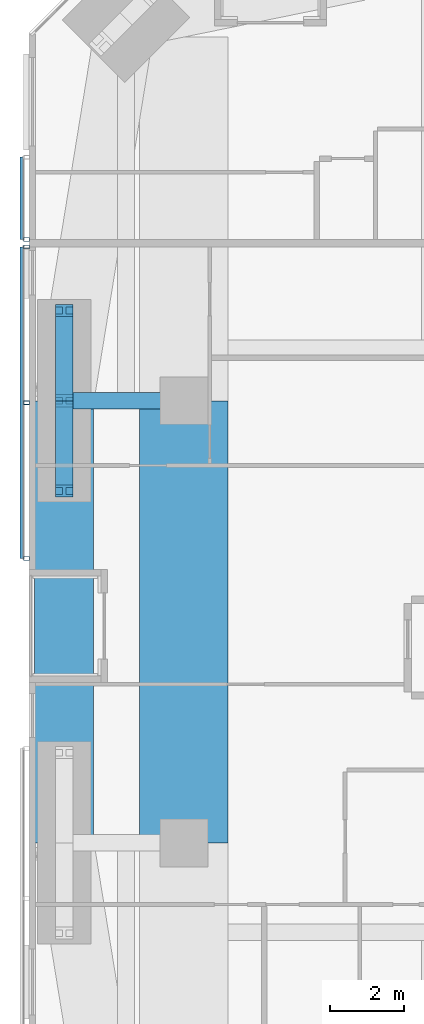
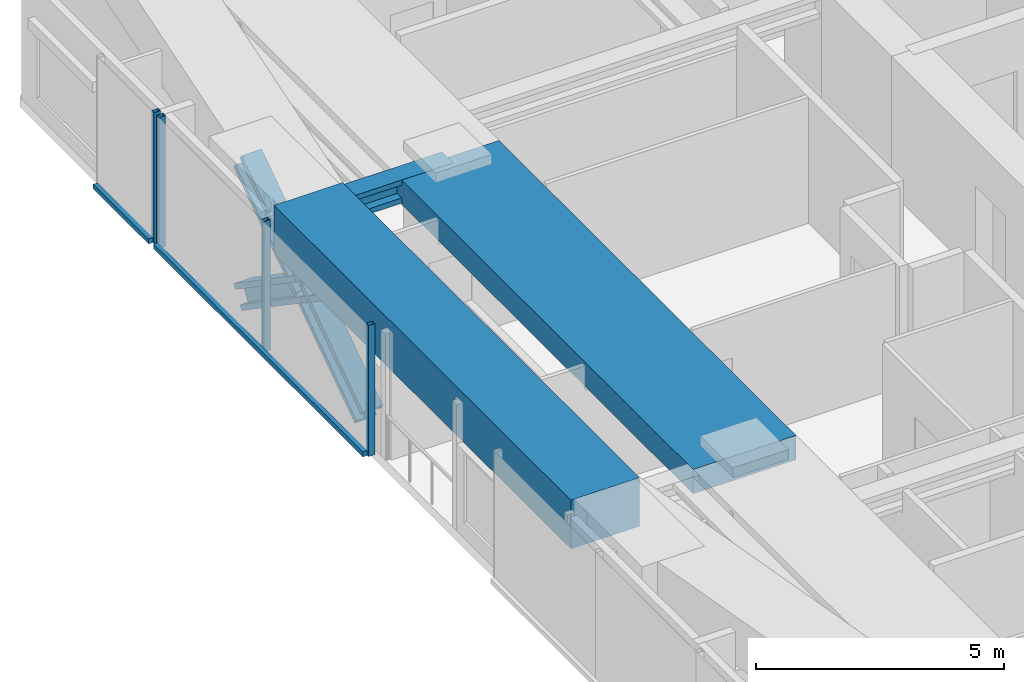
# One storey, part 6 of 23: 10 members, 3 beams, 2 elements without a shape of their own.
"""IFC4 building model written with IfcOpenShell, lengths in metres."""

from ifc_helpers import new_model, si_unit, direction, frame, origin, origin_2d, place, context, subcontext, project, spatial, rectangle, hollow_rectangle, i_section, extrude, material, material_profile, profile_set, type_object, element, aggregate, save


model = new_model("IFC4")

# Units and contexts
model_context = context("Model", 3, precision=1e-05, world=origin(), true_north=direction((0.0, 1.0)))
body_context = subcontext(model_context, "Body", "Model", "MODEL_VIEW")
ifc_project = project(units=[si_unit("LENGTHUNIT", "METRE"), si_unit("AREAUNIT", "SQUARE_METRE"), si_unit("VOLUMEUNIT", "CUBIC_METRE"), si_unit("PLANEANGLEUNIT", "RADIAN"), si_unit("MASSUNIT", "GRAM", prefix="KILO")], contexts=[model_context])

# Site, building, storey
site_placement = place(None, origin())
site = spatial("IfcSite", under=ifc_project, at=site_placement, CompositionType="ELEMENT")
building_placement = place(site_placement, origin())
building = spatial("IfcBuilding", under=site, at=building_placement, Name="Jalousie Tower", CompositionType="ELEMENT")
storey_placement = place(building_placement, frame((0.0, 0.0, 118.25)))
storey = spatial("IfcBuildingStorey", under=building, at=storey_placement, Name="L32", CompositionType="ELEMENT", Elevation=118.25)

# Beam
ifc_material_1 = material(Name="Steel ASTM A992 Grade 50", Category="steel")
ifc_material_profile_1 = material_profile(ifc_material_1, i_section(OverallWidth=0.45458984375, OverallDepth=0.569091796875, WebThickness=0.077880859375, FlangeThickness=0.124755859375, at=origin_2d()), Name="W14X730")
ifc_profile_set_1 = profile_set([ifc_material_profile_1], Name="Steel ASTM A992 Grade 50")
beam_type_1 = type_object("IfcBeamType", Name="LEAN COLLECTOR W14X730", PredefinedType="BEAM", material=ifc_profile_set_1)
beam_1_placement = place(storey_placement, frame((6.949951171875, 25.0, 2.825439453125), z_axis=(1.0, 0.0, 0.0), x_axis=(0.0, 1.0, 0.0)))
element("IfcBeam", 1, at=beam_1_placement, inside=storey, type_object=beam_type_1, Name="Lean collector under L33", PredefinedType="BEAM", context=body_context, shape_type="SweptSolid", body=[
    extrude(i_section(OverallWidth=0.45458984375, OverallDepth=0.569091796875, WebThickness=0.077880859375, FlangeThickness=0.124755859375, at=origin_2d()), origin(), (0.0, 0.0, 1.0), 3.25),
])

# Members
ifc_material_2 = material(Name="Steel ASTM A992 Grade 50", Category="steel")
ifc_material_profile_2 = material_profile(ifc_material_2, i_section(OverallWidth=0.472412109375, OverallDepth=0.5791015625, WebThickness=0.094970703125, FlangeThickness=0.1298828125, at=origin_2d()), Name="W14X808")
ifc_profile_set_2 = profile_set([ifc_material_profile_2], Name="Steel ASTM A992 Grade 50")
member_type_1 = type_object("IfcMemberType", Name="PERIMETER BRACE W14X808", PredefinedType="BRACE", material=ifc_profile_set_2)
for number, where, z_axis, x_axis, name in (
    (2, (6.949951171875, 22.550048828125, -0.60009765625), (0.0, 0.825500916831, 0.564400776321), (-1.0, 0.0, 0.0), "Perimeter brace 13 L32 part 1"),
    (3, (6.949951171875, 25.0, 1.074951171875), (0.0, 0.825500916831, 0.564400776321), (-1.0, 0.0, 0.0), "Perimeter brace 13 L32 part 2"),
    (4, (6.949951171875, 27.449951171875, -0.60009765625), (0.0, -0.825500916831, 0.564400776321), (1.0, 0.0, 0.0), "Perimeter brace 13 L32 part 3"),
    (5, (6.949951171875, 25.0, 1.074951171875), (0.0, -0.825500916831, 0.564400776321), (1.0, 0.0, 0.0), "Perimeter brace 13 L32 part 4"),
):
    element("IfcMember", number, at=place(storey_placement, frame(where, z_axis=z_axis, x_axis=x_axis)), inside=storey, type_object=member_type_1, Name=name, PredefinedType="BRACE", context=body_context, shape_type="SweptSolid", body=[
        extrude(i_section(OverallWidth=0.472412109375, OverallDepth=0.5791015625, WebThickness=0.094970703125, FlangeThickness=0.1298828125, at=origin_2d()), origin(), (0.0, 0.0, 1.0), 2.9677734375),
    ])

# Beams
ifc_material_3 = material(Name="Concrete f'c 40 MPa", Category="concrete")
ifc_material_profile_3 = material_profile(ifc_material_3, rectangle(XDim=1.60009765625, YDim=1.199951171875, at=origin_2d()), Name="RC 1600x1200")
ifc_profile_set_3 = profile_set([ifc_material_profile_3], Name="Concrete f'c 40 MPa")
beam_type_2 = type_object("IfcBeamType", Name="RC BEAM 1600x1200", PredefinedType="BEAM", material=ifc_profile_set_3)
beam_2_placement = place(storey_placement, frame((6.949951171875, 25.0, 2.75), z_axis=(0.0, -1.0, 0.0), x_axis=(1.0, 0.0, 0.0)))
element("IfcBeam", 6, at=beam_2_placement, inside=storey, type_object=beam_type_2, Name="Edge band beam 13-14 under L33", PredefinedType="BEAM", context=body_context, shape_type="SweptSolid", body=[
    extrude(rectangle(XDim=1.60009765625, YDim=1.199951171875, at=origin_2d()), origin(), (0.0, 0.0, 1.0), 12.0),
])
ifc_material_4 = material(Name="Concrete f'c 40 MPa", Category="concrete")
ifc_material_profile_4 = material_profile(ifc_material_4, rectangle(XDim=2.39990234375, YDim=0.60009765625, at=origin_2d()), Name="RC 2400x600")
ifc_profile_set_4 = profile_set([ifc_material_profile_4], Name="Concrete f'c 40 MPa")
beam_type_3 = type_object("IfcBeamType", Name="RC BEAM 2400x600", PredefinedType="BEAM", material=ifc_profile_set_4)
beam_3_placement = place(storey_placement, frame((10.199951171875, 13.0, 2.81005859375), z_axis=(0.0, 1.0, 0.0), x_axis=(-1.0, 0.0, 0.0)))
element("IfcBeam", 7, at=beam_3_placement, inside=storey, type_object=beam_type_3, Name="Floor band beam under L33", PredefinedType="BEAM", context=body_context, shape_type="SweptSolid", body=[
    extrude(rectangle(XDim=2.39990234375, YDim=0.60009765625, at=origin_2d()), origin(), (0.0, 0.0, 1.0), 12.0),
])

# Curtain wall, member
ifc_material_5 = material(Name="Perforated aluminium sheet", Category="aluminium")
curtain_wall_type = type_object("IfcCurtainWallType", Name="SOLAR SCREEN SS-1", PredefinedType="USERDEFINED", material=ifc_material_5)
curtain_wall_1_placement = place(storey_placement, origin())
curtain_wall_1 = element("IfcCurtainWall", 8, at=curtain_wall_1_placement, inside=storey, type_object=curtain_wall_type, Name="Solar screen L32", ObjectType="SOLAR SCREEN SS-1", PredefinedType="USERDEFINED")
ifc_material_6 = material(Name="Steel ASTM A500 Grade C", Category="steel")
ifc_material_profile_5 = material_profile(ifc_material_6, hollow_rectangle(XDim=0.1015625, YDim=0.15234375, WallThickness=0.00634765625, at=origin_2d()), Name="HSS6X4X1/4")
ifc_profile_set_5 = profile_set([ifc_material_profile_5], Name="Steel ASTM A500 Grade C")
member_type_2 = type_object("IfcMemberType", Name="SOLAR SCREEN SS-1 MULLION", PredefinedType="MULLION", material=ifc_profile_set_5)
member_1_placement = place(storey_placement, frame((5.9287109375, 29.375, -0.1201171875), z_axis=(0.0, 0.0, 1.0), x_axis=(0.0, -1.0, 0.0)))
member_1 = element("IfcMember", 9, at=member_1_placement, type_object=member_type_2, Name="SS1 post 2", PredefinedType="MULLION", context=body_context, shape_type="SweptSolid", body=[
    extrude(hollow_rectangle(XDim=0.1015625, YDim=0.15234375, WallThickness=0.00634765625, at=origin_2d()), origin(), (0.0, 0.0, 1.0), 3.230224609375),
])

# Curtain wall, members
curtain_wall_2_placement = place(storey_placement, origin())
curtain_wall_2 = element("IfcCurtainWall", 10, at=curtain_wall_2_placement, inside=storey, type_object=curtain_wall_type, Name="Solar screen L32", ObjectType="SOLAR SCREEN SS-1", PredefinedType="USERDEFINED")
member_2_placement = place(storey_placement, frame((5.9287109375, 29.175048828125, -0.1201171875), z_axis=(0.0, 0.0, 1.0), x_axis=(0.0, -1.0, 0.0)))
member_2 = element("IfcMember", 11, at=member_2_placement, type_object=member_type_2, Name="SS1 post 1", PredefinedType="MULLION", context=body_context, shape_type="SweptSolid", body=[
    extrude(hollow_rectangle(XDim=0.1015625, YDim=0.15234375, WallThickness=0.00634765625, at=origin_2d()), origin(), (0.0, 0.0, 1.0), 3.230224609375),
])
member_3_placement = place(storey_placement, frame((5.9287109375, 24.94580078125, -0.1201171875), z_axis=(0.0, 0.0, 1.0), x_axis=(0.0, -1.0, 0.0)))
member_3 = element("IfcMember", 12, at=member_3_placement, type_object=member_type_2, Name="SS1 post 2", PredefinedType="MULLION", context=body_context, shape_type="SweptSolid", body=[
    extrude(hollow_rectangle(XDim=0.1015625, YDim=0.15234375, WallThickness=0.00634765625, at=origin_2d()), origin(), (0.0, 0.0, 1.0), 3.230224609375),
])
member_4_placement = place(storey_placement, frame((5.9287109375, 20.716796875, -0.1201171875), z_axis=(0.0, 0.0, 1.0), x_axis=(0.0, -1.0, 0.0)))
member_4 = element("IfcMember", 13, at=member_4_placement, type_object=member_type_2, Name="SS1 post 3", PredefinedType="MULLION", context=body_context, shape_type="SweptSolid", body=[
    extrude(hollow_rectangle(XDim=0.1015625, YDim=0.15234375, WallThickness=0.00634765625, at=origin_2d()), origin(), (0.0, 0.0, 1.0), 3.230224609375),
])

# Member
ifc_material_7 = material(Name="Extruded aluminium screen rail", Category="aluminium")
ifc_material_profile_6 = material_profile(ifc_material_7, rectangle(XDim=0.1015625, YDim=0.1201171875, at=origin_2d()), Name="RAIL 102x120")
ifc_profile_set_6 = profile_set([ifc_material_profile_6], Name="Extruded aluminium screen rail")
member_type_3 = type_object("IfcMemberType", Name="SOLAR SCREEN SS-1 TRANSOM", PredefinedType="USERDEFINED", material=ifc_profile_set_6)
member_5_placement = place(storey_placement, frame((5.8017578125, 31.6123046875, -0.06005859375), z_axis=(0.0, -1.0, 0.0), x_axis=(1.0, 0.0, 0.0)))
member_5 = element("IfcMember", 14, at=member_5_placement, type_object=member_type_3, Name="SS1 rail", ObjectType="TRANSOM", PredefinedType="USERDEFINED", context=body_context, shape_type="SweptSolid", body=[
    extrude(rectangle(XDim=0.1015625, YDim=0.1201171875, at=origin_2d()), origin(), (0.0, 0.0, 1.0), 2.2373046875),
])

aggregate(curtain_wall_1, [member_1, member_5])

member_6_placement = place(storey_placement, frame((5.8017578125, 29.175048828125, -0.06005859375), z_axis=(0.0, -1.0, 0.0), x_axis=(1.0, 0.0, 0.0)))
member_6 = element("IfcMember", 15, at=member_6_placement, type_object=member_type_3, Name="SS1 rail", ObjectType="TRANSOM", PredefinedType="USERDEFINED", context=body_context, shape_type="SweptSolid", body=[
    extrude(rectangle(XDim=0.1015625, YDim=0.1201171875, at=origin_2d()), origin(), (0.0, 0.0, 1.0), 8.458251953125),
])

aggregate(curtain_wall_2, [member_2, member_3, member_4, member_6])

save(model, "model.ifc")
